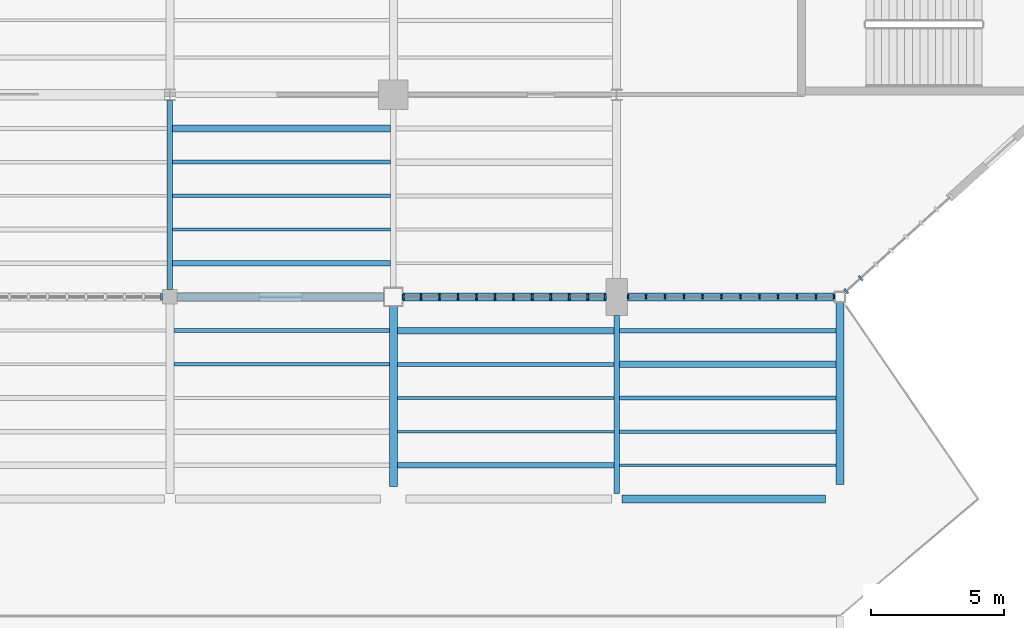
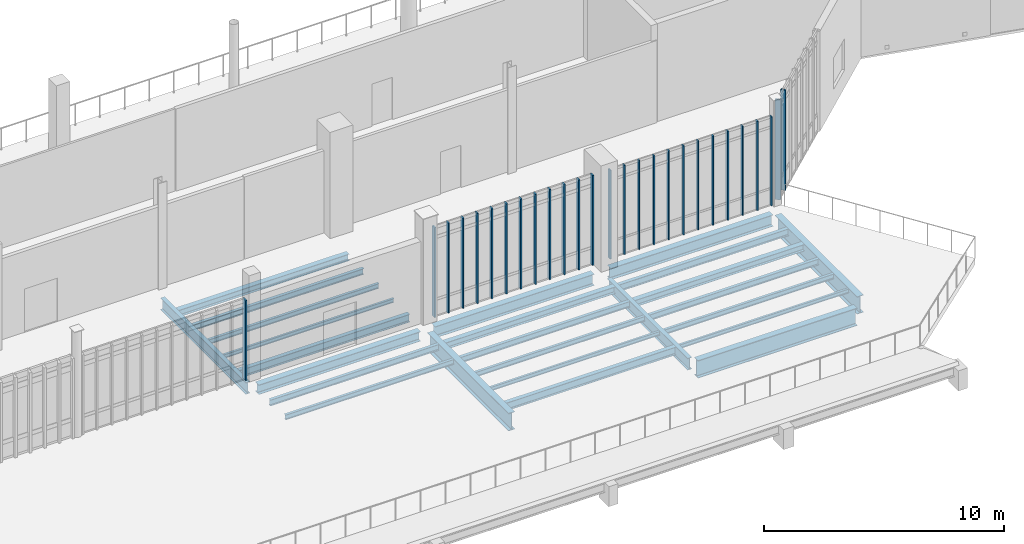
# One storey, part 18 of 127: 27 members, 25 beams, 4 elements without a shape of their own.
"""IFC4 building model written with IfcOpenShell, lengths in metres."""

from ifc_helpers import new_model, si_unit, direction, frame, origin, origin_2d, place, context, subcontext, project, spatial, rectangle, i_section, extrude, material, material_profile, profile_set, type_object, element, aggregate, save


model = new_model("IFC4")

# Units and contexts
model_context = context("Model", 3, precision=1e-05, world=origin(), true_north=direction((0.0, 1.0)))
body_context = subcontext(model_context, "Body", "Model", "MODEL_VIEW")
ifc_project = project(units=[si_unit("LENGTHUNIT", "METRE"), si_unit("AREAUNIT", "SQUARE_METRE"), si_unit("VOLUMEUNIT", "CUBIC_METRE"), si_unit("PLANEANGLEUNIT", "RADIAN"), si_unit("MASSUNIT", "GRAM", prefix="KILO")], contexts=[model_context])

# Site, building, storey
site_placement = place(None, origin())
site = spatial("IfcSite", under=ifc_project, at=site_placement, CompositionType="ELEMENT")
building_placement = place(site_placement, origin())
building = spatial("IfcBuilding", under=site, at=building_placement, Name="Larkvane Passage Sports Hall", CompositionType="ELEMENT")
storey_placement = place(building_placement, frame((0.0, 0.0, 5.39990234375)))
storey = spatial("IfcBuildingStorey", under=building, at=storey_placement, Name="L01", CompositionType="ELEMENT", Elevation=5.39990234375)

# Beams
ifc_material_1 = material(Name="Steel S355JR", Category="steel")
ifc_material_profile_1 = material_profile(ifc_material_1, i_section(OverallWidth=0.300048828125, OverallDepth=0.488037109375, WebThickness=0.010986328125, FlangeThickness=0.01806640625, FilletRadius=0.02197265625, at=origin_2d()), Name="H-488x300x11x18")
ifc_profile_set_1 = profile_set([ifc_material_profile_1], Name="Steel S355JR")
beam_type_1 = type_object("IfcBeamType", Name="BM-STL-H488", PredefinedType="BEAM", material=ifc_profile_set_1)
beam_1_placement = place(storey_placement, frame((60.27490234375, 15.199951171875, -0.663818359375), z_axis=(1.0, 0.0, 0.0), x_axis=(0.0, 1.0, 0.0)))
element("IfcBeam", 1, at=beam_1_placement, inside=storey, type_object=beam_type_1, Name="Girder BM5-X-L01-C-0381", PredefinedType="BEAM", context=body_context, shape_type="SweptSolid", body=[
    extrude(i_section(OverallWidth=0.300048828125, OverallDepth=0.488037109375, WebThickness=0.010986328125, FlangeThickness=0.01806640625, FilletRadius=0.02197265625, at=origin_2d()), origin(), (0.0, 0.0, 1.0), 7.775146484375),
])
ifc_material_2 = material(Name="Steel S460N", Category="steel")
ifc_material_profile_2 = material_profile(ifc_material_2, i_section(OverallWidth=0.300048828125, OverallDepth=0.58203125, WebThickness=0.011962890625, FlangeThickness=0.01708984375, FilletRadius=0.02197265625, at=origin_2d()), Name="H-582x300x12x17")
ifc_profile_set_2 = profile_set([ifc_material_profile_2], Name="Steel S460N")
beam_type_2 = type_object("IfcBeamType", Name="BM-STL-H582", PredefinedType="BEAM", material=ifc_profile_set_2)
beam_2_placement = place(storey_placement, frame((68.75, 15.199951171875, -0.7109375), z_axis=(1.0, 0.0, 0.0), x_axis=(0.0, 1.0, 0.0)))
element("IfcBeam", 2, at=beam_2_placement, inside=storey, type_object=beam_type_2, Name="Girder BM5-X-L01-C-0382", PredefinedType="BEAM", context=body_context, shape_type="SweptSolid", body=[
    extrude(i_section(OverallWidth=0.300048828125, OverallDepth=0.58203125, WebThickness=0.011962890625, FlangeThickness=0.01708984375, FilletRadius=0.02197265625, at=origin_2d()), origin(), (0.0, 0.0, 1.0), 7.64990234375),
])
ifc_material_profile_3 = material_profile(ifc_material_2, i_section(OverallWidth=0.300048828125, OverallDepth=0.587890625, WebThickness=0.011962890625, FlangeThickness=0.02001953125, FilletRadius=0.02197265625, at=origin_2d()), Name="H-588x300x12x20")
ifc_profile_set_3 = profile_set([ifc_material_profile_3], Name="Steel S460N")
beam_type_3 = type_object("IfcBeamType", Name="BM-STL-H588", PredefinedType="BEAM", material=ifc_profile_set_3)
beam_3_placement = place(storey_placement, frame((77.199951171875, 15.199951171875, -0.7138671875), z_axis=(1.0, 0.0, 0.0), x_axis=(0.0, 1.0, 0.0)))
element("IfcBeam", 3, at=beam_3_placement, inside=storey, type_object=beam_type_3, Name="Girder BM5-X-L01-C-0383", PredefinedType="BEAM", context=body_context, shape_type="SweptSolid", body=[
    extrude(i_section(OverallWidth=0.300048828125, OverallDepth=0.587890625, WebThickness=0.011962890625, FlangeThickness=0.02001953125, FilletRadius=0.02197265625, at=origin_2d()), origin(), (0.0, 0.0, 1.0), 7.800048828125),
])
ifc_material_profile_4 = material_profile(ifc_material_1, i_section(OverallWidth=0.199951171875, OverallDepth=0.60009765625, WebThickness=0.010986328125, FlangeThickness=0.01708984375, FilletRadius=0.01806640625, at=origin_2d()), Name="H-600x200x11x17")
ifc_profile_set_4 = profile_set([ifc_material_profile_4], Name="Steel S355JR")
beam_type_4 = type_object("IfcBeamType", Name="BM-STL-H600", PredefinedType="BEAM", material=ifc_profile_set_4)
beam_4_placement = place(storey_placement, frame((60.0, 15.47509765625, -0.719970703125), z_axis=(0.0, 1.0, 0.0), x_axis=(-1.0, 0.0, 0.0)))
element("IfcBeam", 4, at=beam_4_placement, inside=storey, type_object=beam_type_4, Name="Girder BM5-Y-L01-9-0462", PredefinedType="BEAM", context=body_context, shape_type="SweptSolid", body=[
    extrude(i_section(OverallWidth=0.199951171875, OverallDepth=0.60009765625, WebThickness=0.010986328125, FlangeThickness=0.01708984375, FilletRadius=0.01806640625, at=origin_2d()), origin(), (0.0, 0.0, 1.0), 7.11083984375),
])
beam_5_placement = place(storey_placement, frame((76.800048828125, 7.800048828125, -0.719970703125), z_axis=(0.0, 1.0, 0.0), x_axis=(-1.0, 0.0, 0.0)))
element("IfcBeam", 5, at=beam_5_placement, inside=storey, type_object=beam_type_4, Name="Girder BM5-Y-L01-11-0475", PredefinedType="BEAM", context=body_context, shape_type="SweptSolid", body=[
    extrude(i_section(OverallWidth=0.199951171875, OverallDepth=0.60009765625, WebThickness=0.010986328125, FlangeThickness=0.01708984375, FilletRadius=0.01806640625, at=origin_2d()), origin(), (0.0, 0.0, 1.0), 6.699951171875),
])
ifc_material_profile_5 = material_profile(ifc_material_2, i_section(OverallWidth=0.299072265625, OverallDepth=0.889892578125, WebThickness=0.014892578125, FlangeThickness=0.02294921875, FilletRadius=0.02197265625, at=origin_2d()), Name="H-890x299x15x23")
ifc_profile_set_5 = profile_set([ifc_material_profile_5], Name="Steel S460N")
beam_type_5 = type_object("IfcBeamType", Name="BM-STL-H890", PredefinedType="BEAM", material=ifc_profile_set_5)
beam_6_placement = place(storey_placement, frame((85.199951171875, 8.14990234375, -0.864990234375), z_axis=(0.0, 1.0, 0.0), x_axis=(-1.0, 0.0, 0.0)))
element("IfcBeam", 6, at=beam_6_placement, inside=storey, type_object=beam_type_5, Name="Girder BM5-Y-L01-12-0480", PredefinedType="BEAM", context=body_context, shape_type="SweptSolid", body=[
    extrude(i_section(OverallWidth=0.299072265625, OverallDepth=0.889892578125, WebThickness=0.014892578125, FlangeThickness=0.02294921875, FilletRadius=0.02197265625, at=origin_2d()), origin(), (0.0, 0.0, 1.0), 6.85009765625),
])
ifc_material_profile_6 = material_profile(ifc_material_2, i_section(OverallWidth=0.300048828125, OverallDepth=0.89990234375, WebThickness=0.01611328125, FlangeThickness=0.028076171875, FilletRadius=0.02197265625, at=origin_2d()), Name="H-900x300x16x28")
ifc_profile_set_6 = profile_set([ifc_material_profile_6], Name="Steel S460N")
beam_type_6 = type_object("IfcBeamType", Name="BM-STL-H900", PredefinedType="BEAM", material=ifc_profile_set_6)
beam_7_placement = place(storey_placement, frame((77.0, 7.60009765625, -0.869873046875), z_axis=(1.0, 0.0, 0.0), x_axis=(0.0, 1.0, 0.0)))
element("IfcBeam", 7, at=beam_7_placement, inside=storey, type_object=beam_type_6, Name="Girder BM5-X-L01-B-0377", PredefinedType="BEAM", context=body_context, shape_type="SweptSolid", body=[
    extrude(i_section(OverallWidth=0.300048828125, OverallDepth=0.89990234375, WebThickness=0.01611328125, FlangeThickness=0.028076171875, FilletRadius=0.02197265625, at=origin_2d()), origin(), (0.0, 0.0, 1.0), 7.64990234375),
])
beam_8_placement = place(storey_placement, frame((68.39990234375, 8.074951171875, -0.869873046875), z_axis=(0.0, 1.0, 0.0), x_axis=(-1.0, 0.0, 0.0)))
element("IfcBeam", 8, at=beam_8_placement, inside=storey, type_object=beam_type_6, Name="Girder BM5-Y-L01-10-0468", PredefinedType="BEAM", context=body_context, shape_type="SweptSolid", body=[
    extrude(i_section(OverallWidth=0.300048828125, OverallDepth=0.89990234375, WebThickness=0.01611328125, FlangeThickness=0.028076171875, FilletRadius=0.02197265625, at=origin_2d()), origin(), (0.0, 0.0, 1.0), 6.775146484375),
])

# Curtain wall, members
ifc_material_3 = material(Name="Thermally broken aluminium and low-E glazing", Category="aluminium")
curtain_wall_type_1 = type_object("IfcCurtainWallType", Name="CW-UNIT-COURT", PredefinedType="USERDEFINED", material=ifc_material_3)
curtain_wall_1_placement = place(storey_placement, origin())
curtain_wall_1 = element("IfcCurtainWall", 9, at=curtain_wall_1_placement, inside=storey, type_object=curtain_wall_type_1, Name="Curtain wall CW5-L01-028", ObjectType="UNITISED CURTAIN WALL", PredefinedType="USERDEFINED")
ifc_material_4 = material(Name="Anodised aluminium 6063-T6", Category="aluminium")
ifc_material_profile_7 = material_profile(ifc_material_4, rectangle(XDim=0.06005859375, YDim=0.14990234375, at=origin_2d()), Name="ALU-MUL-60x150")
ifc_profile_set_7 = profile_set([ifc_material_profile_7], Name="Anodised aluminium 6063-T6")
member_type_1 = type_object("IfcMemberType", Name="CW-MUL-60x150", PredefinedType="MULLION", material=ifc_profile_set_7)
member_1_placement = place(storey_placement, frame((84.97412109375, 15.199951171875, 0.0), z_axis=(0.0, 0.0, 1.0), x_axis=(-1.0, 0.0, 0.0)))
member_1 = element("IfcMember", 10, at=member_1_placement, type_object=member_type_1, Name="CW-01 mullion 1", PredefinedType="MULLION", context=body_context, shape_type="SweptSolid", body=[
    extrude(rectangle(XDim=0.06005859375, YDim=0.14990234375, at=origin_2d()), origin(), (0.0, 0.0, 1.0), 4.528076171875),
])
member_2_placement = place(storey_placement, frame((84.294189453125, 15.199951171875, 0.0), z_axis=(0.0, 0.0, 1.0), x_axis=(-1.0, 0.0, 0.0)))
member_2 = element("IfcMember", 11, at=member_2_placement, type_object=member_type_1, Name="CW-01 mullion 2", PredefinedType="MULLION", context=body_context, shape_type="SweptSolid", body=[
    extrude(rectangle(XDim=0.06005859375, YDim=0.14990234375, at=origin_2d()), origin(), (0.0, 0.0, 1.0), 4.528076171875),
])
member_3_placement = place(storey_placement, frame((83.58447265625, 15.199951171875, 0.0), z_axis=(0.0, 0.0, 1.0), x_axis=(-1.0, 0.0, 0.0)))
member_3 = element("IfcMember", 12, at=member_3_placement, type_object=member_type_1, Name="CW-01 mullion 3", PredefinedType="MULLION", context=body_context, shape_type="SweptSolid", body=[
    extrude(rectangle(XDim=0.06005859375, YDim=0.14990234375, at=origin_2d()), origin(), (0.0, 0.0, 1.0), 4.528076171875),
])
member_4_placement = place(storey_placement, frame((82.87451171875, 15.199951171875, 0.0), z_axis=(0.0, 0.0, 1.0), x_axis=(-1.0, 0.0, 0.0)))
member_4 = element("IfcMember", 13, at=member_4_placement, type_object=member_type_1, Name="CW-01 mullion 4", PredefinedType="MULLION", context=body_context, shape_type="SweptSolid", body=[
    extrude(rectangle(XDim=0.06005859375, YDim=0.14990234375, at=origin_2d()), origin(), (0.0, 0.0, 1.0), 4.528076171875),
])
member_5_placement = place(storey_placement, frame((82.164794921875, 15.199951171875, 0.0), z_axis=(0.0, 0.0, 1.0), x_axis=(-1.0, 0.0, 0.0)))
member_5 = element("IfcMember", 14, at=member_5_placement, type_object=member_type_1, Name="CW-01 mullion 5", PredefinedType="MULLION", context=body_context, shape_type="SweptSolid", body=[
    extrude(rectangle(XDim=0.06005859375, YDim=0.14990234375, at=origin_2d()), origin(), (0.0, 0.0, 1.0), 4.528076171875),
])
member_6_placement = place(storey_placement, frame((81.454833984375, 15.199951171875, 0.0), z_axis=(0.0, 0.0, 1.0), x_axis=(-1.0, 0.0, 0.0)))
member_6 = element("IfcMember", 15, at=member_6_placement, type_object=member_type_1, Name="CW-01 mullion 6", PredefinedType="MULLION", context=body_context, shape_type="SweptSolid", body=[
    extrude(rectangle(XDim=0.06005859375, YDim=0.14990234375, at=origin_2d()), origin(), (0.0, 0.0, 1.0), 4.528076171875),
])
member_7_placement = place(storey_placement, frame((80.7451171875, 15.199951171875, 0.0), z_axis=(0.0, 0.0, 1.0), x_axis=(-1.0, 0.0, 0.0)))
member_7 = element("IfcMember", 16, at=member_7_placement, type_object=member_type_1, Name="CW-01 mullion 7", PredefinedType="MULLION", context=body_context, shape_type="SweptSolid", body=[
    extrude(rectangle(XDim=0.06005859375, YDim=0.14990234375, at=origin_2d()), origin(), (0.0, 0.0, 1.0), 4.528076171875),
])
member_8_placement = place(storey_placement, frame((80.03515625, 15.199951171875, 0.0), z_axis=(0.0, 0.0, 1.0), x_axis=(-1.0, 0.0, 0.0)))
member_8 = element("IfcMember", 17, at=member_8_placement, type_object=member_type_1, Name="CW-01 mullion 8", PredefinedType="MULLION", context=body_context, shape_type="SweptSolid", body=[
    extrude(rectangle(XDim=0.06005859375, YDim=0.14990234375, at=origin_2d()), origin(), (0.0, 0.0, 1.0), 4.528076171875),
])
member_9_placement = place(storey_placement, frame((79.325439453125, 15.199951171875, 0.0), z_axis=(0.0, 0.0, 1.0), x_axis=(-1.0, 0.0, 0.0)))
member_9 = element("IfcMember", 18, at=member_9_placement, type_object=member_type_1, Name="CW-01 mullion 9", PredefinedType="MULLION", context=body_context, shape_type="SweptSolid", body=[
    extrude(rectangle(XDim=0.06005859375, YDim=0.14990234375, at=origin_2d()), origin(), (0.0, 0.0, 1.0), 4.528076171875),
])
member_10_placement = place(storey_placement, frame((78.61572265625, 15.199951171875, 0.0), z_axis=(0.0, 0.0, 1.0), x_axis=(-1.0, 0.0, 0.0)))
member_10 = element("IfcMember", 19, at=member_10_placement, type_object=member_type_1, Name="CW-01 mullion 10", PredefinedType="MULLION", context=body_context, shape_type="SweptSolid", body=[
    extrude(rectangle(XDim=0.06005859375, YDim=0.14990234375, at=origin_2d()), origin(), (0.0, 0.0, 1.0), 4.528076171875),
])
member_11_placement = place(storey_placement, frame((77.90576171875, 15.199951171875, 0.0), z_axis=(0.0, 0.0, 1.0), x_axis=(-1.0, 0.0, 0.0)))
member_11 = element("IfcMember", 20, at=member_11_placement, type_object=member_type_1, Name="CW-01 mullion 11", PredefinedType="MULLION", context=body_context, shape_type="SweptSolid", body=[
    extrude(rectangle(XDim=0.06005859375, YDim=0.14990234375, at=origin_2d()), origin(), (0.0, 0.0, 1.0), 4.528076171875),
])
member_12_placement = place(storey_placement, frame((77.22607421875, 15.199951171875, 0.0), z_axis=(0.0, 0.0, 1.0), x_axis=(-1.0, 0.0, 0.0)))
member_12 = element("IfcMember", 21, at=member_12_placement, type_object=member_type_1, Name="CW-01 mullion 12", PredefinedType="MULLION", context=body_context, shape_type="SweptSolid", body=[
    extrude(rectangle(XDim=0.06005859375, YDim=0.14990234375, at=origin_2d()), origin(), (0.0, 0.0, 1.0), 4.528076171875),
])
aggregate(curtain_wall_1, [member_1, member_2, member_3, member_4, member_5, member_6, member_7, member_8, member_9, member_10, member_11, member_12])

curtain_wall_type_2 = type_object("IfcCurtainWallType", Name="CW-UNIT-VEIL", PredefinedType="USERDEFINED", material=ifc_material_3)
curtain_wall_2_placement = place(storey_placement, origin())
curtain_wall_2 = element("IfcCurtainWall", 22, at=curtain_wall_2_placement, inside=storey, type_object=curtain_wall_type_2, Name="Curtain wall CW5-L01-029", ObjectType="UNITISED CURTAIN WALL", PredefinedType="USERDEFINED")
ifc_material_profile_8 = material_profile(ifc_material_4, rectangle(XDim=0.070068359375, YDim=0.199951171875, at=origin_2d()), Name="ALU-MUL-70x200")
ifc_profile_set_8 = profile_set([ifc_material_profile_8], Name="Anodised aluminium 6063-T6")
member_type_2 = type_object("IfcMemberType", Name="CW-MUL-70x200", PredefinedType="MULLION", material=ifc_profile_set_8)
member_13_placement = place(storey_placement, frame((76.368896484375, 15.199951171875, 0.0), z_axis=(0.0, 0.0, 1.0), x_axis=(-1.0, 0.0, 0.0)))
member_13 = element("IfcMember", 23, at=member_13_placement, type_object=member_type_2, Name="CW-02 mullion 1", PredefinedType="MULLION", context=body_context, shape_type="SweptSolid", body=[
    extrude(rectangle(XDim=0.070068359375, YDim=0.199951171875, at=origin_2d()), origin(), (0.0, 0.0, 1.0), 4.578125),
])
member_14_placement = place(storey_placement, frame((75.707763671875, 15.199951171875, 0.0), z_axis=(0.0, 0.0, 1.0), x_axis=(-1.0, 0.0, 0.0)))
member_14 = element("IfcMember", 24, at=member_14_placement, type_object=member_type_2, Name="CW-02 mullion 2", PredefinedType="MULLION", context=body_context, shape_type="SweptSolid", body=[
    extrude(rectangle(XDim=0.070068359375, YDim=0.199951171875, at=origin_2d()), origin(), (0.0, 0.0, 1.0), 4.578125),
])
member_15_placement = place(storey_placement, frame((75.01171875, 15.199951171875, 0.0), z_axis=(0.0, 0.0, 1.0), x_axis=(-1.0, 0.0, 0.0)))
member_15 = element("IfcMember", 25, at=member_15_placement, type_object=member_type_2, Name="CW-02 mullion 3", PredefinedType="MULLION", context=body_context, shape_type="SweptSolid", body=[
    extrude(rectangle(XDim=0.070068359375, YDim=0.199951171875, at=origin_2d()), origin(), (0.0, 0.0, 1.0), 4.578125),
])
member_16_placement = place(storey_placement, frame((74.3154296875, 15.199951171875, 0.0), z_axis=(0.0, 0.0, 1.0), x_axis=(-1.0, 0.0, 0.0)))
member_16 = element("IfcMember", 26, at=member_16_placement, type_object=member_type_2, Name="CW-02 mullion 4", PredefinedType="MULLION", context=body_context, shape_type="SweptSolid", body=[
    extrude(rectangle(XDim=0.070068359375, YDim=0.199951171875, at=origin_2d()), origin(), (0.0, 0.0, 1.0), 4.578125),
])
member_17_placement = place(storey_placement, frame((73.619384765625, 15.199951171875, 0.0), z_axis=(0.0, 0.0, 1.0), x_axis=(-1.0, 0.0, 0.0)))
member_17 = element("IfcMember", 27, at=member_17_placement, type_object=member_type_2, Name="CW-02 mullion 5", PredefinedType="MULLION", context=body_context, shape_type="SweptSolid", body=[
    extrude(rectangle(XDim=0.070068359375, YDim=0.199951171875, at=origin_2d()), origin(), (0.0, 0.0, 1.0), 4.578125),
])
member_18_placement = place(storey_placement, frame((72.923095703125, 15.199951171875, 0.0), z_axis=(0.0, 0.0, 1.0), x_axis=(-1.0, 0.0, 0.0)))
member_18 = element("IfcMember", 28, at=member_18_placement, type_object=member_type_2, Name="CW-02 mullion 6", PredefinedType="MULLION", context=body_context, shape_type="SweptSolid", body=[
    extrude(rectangle(XDim=0.070068359375, YDim=0.199951171875, at=origin_2d()), origin(), (0.0, 0.0, 1.0), 4.578125),
])
member_19_placement = place(storey_placement, frame((72.226806640625, 15.199951171875, 0.0), z_axis=(0.0, 0.0, 1.0), x_axis=(-1.0, 0.0, 0.0)))
member_19 = element("IfcMember", 29, at=member_19_placement, type_object=member_type_2, Name="CW-02 mullion 7", PredefinedType="MULLION", context=body_context, shape_type="SweptSolid", body=[
    extrude(rectangle(XDim=0.070068359375, YDim=0.199951171875, at=origin_2d()), origin(), (0.0, 0.0, 1.0), 4.578125),
])
member_20_placement = place(storey_placement, frame((71.53076171875, 15.199951171875, 0.0), z_axis=(0.0, 0.0, 1.0), x_axis=(-1.0, 0.0, 0.0)))
member_20 = element("IfcMember", 30, at=member_20_placement, type_object=member_type_2, Name="CW-02 mullion 8", PredefinedType="MULLION", context=body_context, shape_type="SweptSolid", body=[
    extrude(rectangle(XDim=0.070068359375, YDim=0.199951171875, at=origin_2d()), origin(), (0.0, 0.0, 1.0), 4.578125),
])
member_21_placement = place(storey_placement, frame((70.83447265625, 15.199951171875, 0.0), z_axis=(0.0, 0.0, 1.0), x_axis=(-1.0, 0.0, 0.0)))
member_21 = element("IfcMember", 31, at=member_21_placement, type_object=member_type_2, Name="CW-02 mullion 9", PredefinedType="MULLION", context=body_context, shape_type="SweptSolid", body=[
    extrude(rectangle(XDim=0.070068359375, YDim=0.199951171875, at=origin_2d()), origin(), (0.0, 0.0, 1.0), 4.578125),
])
member_22_placement = place(storey_placement, frame((70.138427734375, 15.199951171875, 0.0), z_axis=(0.0, 0.0, 1.0), x_axis=(-1.0, 0.0, 0.0)))
member_22 = element("IfcMember", 32, at=member_22_placement, type_object=member_type_2, Name="CW-02 mullion 10", PredefinedType="MULLION", context=body_context, shape_type="SweptSolid", body=[
    extrude(rectangle(XDim=0.070068359375, YDim=0.199951171875, at=origin_2d()), origin(), (0.0, 0.0, 1.0), 4.578125),
])
member_23_placement = place(storey_placement, frame((69.442138671875, 15.199951171875, 0.0), z_axis=(0.0, 0.0, 1.0), x_axis=(-1.0, 0.0, 0.0)))
member_23 = element("IfcMember", 33, at=member_23_placement, type_object=member_type_2, Name="CW-02 mullion 11", PredefinedType="MULLION", context=body_context, shape_type="SweptSolid", body=[
    extrude(rectangle(XDim=0.070068359375, YDim=0.199951171875, at=origin_2d()), origin(), (0.0, 0.0, 1.0), 4.578125),
])
member_24_placement = place(storey_placement, frame((68.781005859375, 15.199951171875, 0.0), z_axis=(0.0, 0.0, 1.0), x_axis=(-1.0, 0.0, 0.0)))
member_24 = element("IfcMember", 34, at=member_24_placement, type_object=member_type_2, Name="CW-02 mullion 12", PredefinedType="MULLION", context=body_context, shape_type="SweptSolid", body=[
    extrude(rectangle(XDim=0.070068359375, YDim=0.199951171875, at=origin_2d()), origin(), (0.0, 0.0, 1.0), 4.578125),
])
aggregate(curtain_wall_2, [member_13, member_14, member_15, member_16, member_17, member_18, member_19, member_20, member_21, member_22, member_23, member_24])

curtain_wall_3_placement = place(storey_placement, origin())
curtain_wall_3 = element("IfcCurtainWall", 35, at=curtain_wall_3_placement, inside=storey, type_object=curtain_wall_type_2, Name="Curtain wall CW5-L01-065", ObjectType="UNITISED CURTAIN WALL", PredefinedType="USERDEFINED")
ifc_material_profile_9 = material_profile(ifc_material_4, rectangle(XDim=0.074951171875, YDim=0.22509765625, at=origin_2d()), Name="ALU-MUL-75x225")
ifc_profile_set_9 = profile_set([ifc_material_profile_9], Name="Anodised aluminium 6063-T6")
member_type_3 = type_object("IfcMemberType", Name="CW-MUL-75x225", PredefinedType="MULLION", material=ifc_profile_set_9)
member_25_placement = place(storey_placement, frame((85.97705078125, 15.903076171875, 0.0), z_axis=(0.0, 0.0, 1.0), x_axis=(-0.741532699805, -0.67091672741, 0.0)))
member_25 = element("IfcMember", 36, at=member_25_placement, type_object=member_type_3, Name="CW-02 mullion 7", PredefinedType="MULLION", context=body_context, shape_type="SweptSolid", body=[
    extrude(rectangle(XDim=0.074951171875, YDim=0.22509765625, at=origin_2d()), origin(), (0.0, 0.0, 1.0), 5.090087890625),
])
member_26_placement = place(storey_placement, frame((85.434326171875, 15.411865234375, 0.0), z_axis=(0.0, 0.0, 1.0), x_axis=(-0.741532699805, -0.67091672741, 0.0)))
member_26 = element("IfcMember", 37, at=member_26_placement, type_object=member_type_3, Name="CW-02 mullion 8", PredefinedType="MULLION", context=body_context, shape_type="SweptSolid", body=[
    extrude(rectangle(XDim=0.074951171875, YDim=0.22509765625, at=origin_2d()), origin(), (0.0, 0.0, 1.0), 5.090087890625),
])
aggregate(curtain_wall_3, [member_25, member_26])

# Curtain wall, member
curtain_wall_type_3 = type_object("IfcCurtainWallType", Name="CW-STICK-FOYER", PredefinedType="USERDEFINED", material=ifc_material_3)
curtain_wall_4_placement = place(storey_placement, origin())
curtain_wall_4 = element("IfcCurtainWall", 38, at=curtain_wall_4_placement, inside=storey, type_object=curtain_wall_type_3, Name="Curtain wall CW5-L01-030", ObjectType="STICK CURTAIN WALL", PredefinedType="USERDEFINED")
ifc_material_profile_10 = material_profile(ifc_material_4, rectangle(XDim=0.080078125, YDim=0.25, at=origin_2d()), Name="ALU-MUL-80x250")
ifc_profile_set_10 = profile_set([ifc_material_profile_10], Name="Anodised aluminium 6063-T6")
member_type_4 = type_object("IfcMemberType", Name="CW-MUL-80x250", PredefinedType="MULLION", material=ifc_profile_set_10)
member_27_placement = place(storey_placement, frame((59.68896484375, 15.199951171875, 0.0), z_axis=(0.0, 0.0, 1.0), x_axis=(-1.0, 0.0, 0.0)))
member_27 = element("IfcMember", 39, at=member_27_placement, type_object=member_type_4, Name="CW-03 mullion 1", PredefinedType="MULLION", context=body_context, shape_type="SweptSolid", body=[
    extrude(rectangle(XDim=0.080078125, YDim=0.25, at=origin_2d()), origin(), (0.0, 0.0, 1.0), 4.068115234375),
])
aggregate(curtain_wall_4, [member_27])

# Beams
ifc_material_profile_11 = material_profile(ifc_material_1, i_section(OverallWidth=0.10009765625, OverallDepth=0.199951171875, WebThickness=0.005615234375, FlangeThickness=0.008056640625, FilletRadius=0.008056640625, at=origin_2d()), Name="H-200x100x5.5x8")
ifc_profile_set_11 = profile_set([ifc_material_profile_11], Name="Steel S355JR")
beam_type_7 = type_object("IfcBeamType", Name="JST-STL-H200", PredefinedType="JOIST", material=ifc_profile_set_11)
beam_9_placement = place(storey_placement, frame((60.10009765625, 17.7333984375, -0.52001953125), z_axis=(1.0, 0.0, 0.0), x_axis=(0.0, 1.0, 0.0)))
element("IfcBeam", 40, at=beam_9_placement, inside=storey, type_object=beam_type_7, Name="Composite joist L01 9/C-2", PredefinedType="JOIST", context=body_context, shape_type="SweptSolid", body=[
    extrude(i_section(OverallWidth=0.10009765625, OverallDepth=0.199951171875, WebThickness=0.005615234375, FlangeThickness=0.008056640625, FilletRadius=0.008056640625, at=origin_2d()), origin(), (0.0, 0.0, 1.0), 8.199951171875),
])
beam_10_placement = place(storey_placement, frame((68.550048828125, 10.13330078125, -0.52001953125), z_axis=(1.0, 0.0, 0.0), x_axis=(0.0, 1.0, 0.0)))
element("IfcBeam", 41, at=beam_10_placement, inside=storey, type_object=beam_type_7, Name="Composite joist L01 10/B-2", PredefinedType="JOIST", context=body_context, shape_type="SweptSolid", body=[
    extrude(i_section(OverallWidth=0.10009765625, OverallDepth=0.199951171875, WebThickness=0.005615234375, FlangeThickness=0.008056640625, FilletRadius=0.008056640625, at=origin_2d()), origin(), (0.0, 0.0, 1.0), 8.14990234375),
])
beam_11_placement = place(storey_placement, frame((76.89990234375, 8.86669921875, -0.52001953125), z_axis=(1.0, 0.0, 0.0), x_axis=(0.0, 1.0, 0.0)))
element("IfcBeam", 42, at=beam_11_placement, inside=storey, type_object=beam_type_7, Name="Composite joist L01 11/B-1", PredefinedType="JOIST", context=body_context, shape_type="SweptSolid", body=[
    extrude(i_section(OverallWidth=0.10009765625, OverallDepth=0.199951171875, WebThickness=0.005615234375, FlangeThickness=0.008056640625, FilletRadius=0.008056640625, at=origin_2d()), origin(), (0.0, 0.0, 1.0), 8.150634765625),
])
ifc_material_profile_12 = material_profile(ifc_material_1, i_section(OverallWidth=0.125, OverallDepth=0.25, WebThickness=0.006103515625, FlangeThickness=0.009033203125, FilletRadius=0.008056640625, at=origin_2d()), Name="H-250x125x6x9")
ifc_profile_set_12 = profile_set([ifc_material_profile_12], Name="Steel S355JR")
beam_type_8 = type_object("IfcBeamType", Name="JST-STL-H250", PredefinedType="JOIST", material=ifc_profile_set_12)
beam_12_placement = place(storey_placement, frame((60.14990234375, 12.666748046875, -0.544921875), z_axis=(1.0, 0.0, 0.0), x_axis=(0.0, 1.0, 0.0)))
element("IfcBeam", 43, at=beam_12_placement, inside=storey, type_object=beam_type_8, Name="Composite joist L01 9/B-4", PredefinedType="JOIST", context=body_context, shape_type="SweptSolid", body=[
    extrude(i_section(OverallWidth=0.125, OverallDepth=0.25, WebThickness=0.006103515625, FlangeThickness=0.009033203125, FilletRadius=0.008056640625, at=origin_2d()), origin(), (0.0, 0.0, 1.0), 8.10009765625),
])
beam_13_placement = place(storey_placement, frame((60.10009765625, 19.0, -0.544921875), z_axis=(1.0, 0.0, 0.0), x_axis=(0.0, 1.0, 0.0)))
element("IfcBeam", 44, at=beam_13_placement, inside=storey, type_object=beam_type_8, Name="Composite joist L01 9/C-3", PredefinedType="JOIST", context=body_context, shape_type="SweptSolid", body=[
    extrude(i_section(OverallWidth=0.125, OverallDepth=0.25, WebThickness=0.006103515625, FlangeThickness=0.009033203125, FilletRadius=0.008056640625, at=origin_2d()), origin(), (0.0, 0.0, 1.0), 8.199951171875),
])
beam_14_placement = place(storey_placement, frame((68.550048828125, 11.39990234375, -0.544921875), z_axis=(1.0, 0.0, 0.0), x_axis=(0.0, 1.0, 0.0)))
element("IfcBeam", 45, at=beam_14_placement, inside=storey, type_object=beam_type_8, Name="Composite joist L01 10/B-3", PredefinedType="JOIST", context=body_context, shape_type="SweptSolid", body=[
    extrude(i_section(OverallWidth=0.125, OverallDepth=0.25, WebThickness=0.006103515625, FlangeThickness=0.009033203125, FilletRadius=0.008056640625, at=origin_2d()), origin(), (0.0, 0.0, 1.0), 8.14990234375),
])
beam_15_placement = place(storey_placement, frame((76.89990234375, 10.13330078125, -0.544921875), z_axis=(1.0, 0.0, 0.0), x_axis=(0.0, 1.0, 0.0)))
element("IfcBeam", 46, at=beam_15_placement, inside=storey, type_object=beam_type_8, Name="Composite joist L01 11/B-2", PredefinedType="JOIST", context=body_context, shape_type="SweptSolid", body=[
    extrude(i_section(OverallWidth=0.125, OverallDepth=0.25, WebThickness=0.006103515625, FlangeThickness=0.009033203125, FilletRadius=0.008056640625, at=origin_2d()), origin(), (0.0, 0.0, 1.0), 8.150634765625),
])
ifc_material_profile_13 = material_profile(ifc_material_1, i_section(OverallWidth=0.14990234375, OverallDepth=0.300048828125, WebThickness=0.006591796875, FlangeThickness=0.009033203125, FilletRadius=0.012939453125, at=origin_2d()), Name="H-300x150x6.5x9")
ifc_profile_set_13 = profile_set([ifc_material_profile_13], Name="Steel S355JR")
beam_type_9 = type_object("IfcBeamType", Name="JST-STL-H300", PredefinedType="JOIST", material=ifc_profile_set_13)
beam_16_placement = place(storey_placement, frame((60.14990234375, 13.933349609375, -0.56982421875), z_axis=(1.0, 0.0, 0.0), x_axis=(0.0, 1.0, 0.0)))
element("IfcBeam", 47, at=beam_16_placement, inside=storey, type_object=beam_type_9, Name="Composite joist L01 9/B-5", PredefinedType="JOIST", context=body_context, shape_type="SweptSolid", body=[
    extrude(i_section(OverallWidth=0.14990234375, OverallDepth=0.300048828125, WebThickness=0.006591796875, FlangeThickness=0.009033203125, FilletRadius=0.012939453125, at=origin_2d()), origin(), (0.0, 0.0, 1.0), 8.10009765625),
])
beam_17_placement = place(storey_placement, frame((60.10009765625, 20.2666015625, -0.56982421875), z_axis=(1.0, 0.0, 0.0), x_axis=(0.0, 1.0, 0.0)))
element("IfcBeam", 48, at=beam_17_placement, inside=storey, type_object=beam_type_9, Name="Composite joist L01 9/C-4", PredefinedType="JOIST", context=body_context, shape_type="SweptSolid", body=[
    extrude(i_section(OverallWidth=0.14990234375, OverallDepth=0.300048828125, WebThickness=0.006591796875, FlangeThickness=0.009033203125, FilletRadius=0.012939453125, at=origin_2d()), origin(), (0.0, 0.0, 1.0), 8.199951171875),
])
beam_18_placement = place(storey_placement, frame((68.550048828125, 12.666748046875, -0.56982421875), z_axis=(1.0, 0.0, 0.0), x_axis=(0.0, 1.0, 0.0)))
element("IfcBeam", 49, at=beam_18_placement, inside=storey, type_object=beam_type_9, Name="Composite joist L01 10/B-4", PredefinedType="JOIST", context=body_context, shape_type="SweptSolid", body=[
    extrude(i_section(OverallWidth=0.14990234375, OverallDepth=0.300048828125, WebThickness=0.006591796875, FlangeThickness=0.009033203125, FilletRadius=0.012939453125, at=origin_2d()), origin(), (0.0, 0.0, 1.0), 8.14990234375),
])
beam_19_placement = place(storey_placement, frame((76.89990234375, 11.39990234375, -0.56982421875), z_axis=(1.0, 0.0, 0.0), x_axis=(0.0, 1.0, 0.0)))
element("IfcBeam", 50, at=beam_19_placement, inside=storey, type_object=beam_type_9, Name="Composite joist L01 11/B-3", PredefinedType="JOIST", context=body_context, shape_type="SweptSolid", body=[
    extrude(i_section(OverallWidth=0.14990234375, OverallDepth=0.300048828125, WebThickness=0.006591796875, FlangeThickness=0.009033203125, FilletRadius=0.012939453125, at=origin_2d()), origin(), (0.0, 0.0, 1.0), 8.150634765625),
])
ifc_material_profile_14 = material_profile(ifc_material_1, i_section(OverallWidth=0.25, OverallDepth=0.340087890625, WebThickness=0.009033203125, FlangeThickness=0.013916015625, FilletRadius=0.012939453125, at=origin_2d()), Name="H-340x250x9x14")
ifc_profile_set_14 = profile_set([ifc_material_profile_14], Name="Steel S355JR")
beam_type_10 = type_object("IfcBeamType", Name="JST-STL-H340", PredefinedType="JOIST", material=ifc_profile_set_14)
beam_20_placement = place(storey_placement, frame((60.10009765625, 21.533447265625, -0.58984375), z_axis=(1.0, 0.0, 0.0), x_axis=(0.0, 1.0, 0.0)))
element("IfcBeam", 51, at=beam_20_placement, inside=storey, type_object=beam_type_10, Name="Composite joist L01 9/C-5", PredefinedType="JOIST", context=body_context, shape_type="SweptSolid", body=[
    extrude(i_section(OverallWidth=0.25, OverallDepth=0.340087890625, WebThickness=0.009033203125, FlangeThickness=0.013916015625, FilletRadius=0.012939453125, at=origin_2d()), origin(), (0.0, 0.0, 1.0), 8.199951171875),
])
beam_21_placement = place(storey_placement, frame((68.550048828125, 13.933349609375, -0.58984375), z_axis=(1.0, 0.0, 0.0), x_axis=(0.0, 1.0, 0.0)))
element("IfcBeam", 52, at=beam_21_placement, inside=storey, type_object=beam_type_10, Name="Composite joist L01 10/B-5", PredefinedType="JOIST", context=body_context, shape_type="SweptSolid", body=[
    extrude(i_section(OverallWidth=0.25, OverallDepth=0.340087890625, WebThickness=0.009033203125, FlangeThickness=0.013916015625, FilletRadius=0.012939453125, at=origin_2d()), origin(), (0.0, 0.0, 1.0), 8.14990234375),
])
beam_22_placement = place(storey_placement, frame((76.89990234375, 12.666748046875, -0.58984375), z_axis=(1.0, 0.0, 0.0), x_axis=(0.0, 1.0, 0.0)))
element("IfcBeam", 53, at=beam_22_placement, inside=storey, type_object=beam_type_10, Name="Composite joist L01 11/B-4", PredefinedType="JOIST", context=body_context, shape_type="SweptSolid", body=[
    extrude(i_section(OverallWidth=0.25, OverallDepth=0.340087890625, WebThickness=0.009033203125, FlangeThickness=0.013916015625, FilletRadius=0.012939453125, at=origin_2d()), origin(), (0.0, 0.0, 1.0), 8.150634765625),
])
ifc_material_profile_15 = material_profile(ifc_material_1, i_section(OverallWidth=0.175048828125, OverallDepth=0.35009765625, WebThickness=0.007080078125, FlangeThickness=0.010986328125, FilletRadius=0.012939453125, at=origin_2d()), Name="H-350x175x7x11")
ifc_profile_set_15 = profile_set([ifc_material_profile_15], Name="Steel S355JR")
beam_type_11 = type_object("IfcBeamType", Name="JST-STL-H350", PredefinedType="JOIST", material=ifc_profile_set_15)
beam_23_placement = place(storey_placement, frame((76.89990234375, 13.933349609375, -0.594970703125), z_axis=(1.0, 0.0, 0.0), x_axis=(0.0, 1.0, 0.0)))
element("IfcBeam", 54, at=beam_23_placement, inside=storey, type_object=beam_type_11, Name="Composite joist L01 11/B-5", PredefinedType="JOIST", context=body_context, shape_type="SweptSolid", body=[
    extrude(i_section(OverallWidth=0.175048828125, OverallDepth=0.35009765625, WebThickness=0.007080078125, FlangeThickness=0.010986328125, FilletRadius=0.012939453125, at=origin_2d()), origin(), (0.0, 0.0, 1.0), 8.150634765625),
])
ifc_material_profile_16 = material_profile(ifc_material_1, i_section(OverallWidth=0.199951171875, OverallDepth=0.39990234375, WebThickness=0.008056640625, FlangeThickness=0.012939453125, FilletRadius=0.012939453125, at=origin_2d()), Name="H-400x200x8x13")
ifc_profile_set_16 = profile_set([ifc_material_profile_16], Name="Steel S355JR")
beam_type_12 = type_object("IfcBeamType", Name="JST-STL-H400", PredefinedType="JOIST", material=ifc_profile_set_16)
beam_24_placement = place(storey_placement, frame((60.10009765625, 16.466552734375, -0.619873046875), z_axis=(1.0, 0.0, 0.0), x_axis=(0.0, 1.0, 0.0)))
element("IfcBeam", 55, at=beam_24_placement, inside=storey, type_object=beam_type_12, Name="Composite joist L01 9/C-1", PredefinedType="JOIST", context=body_context, shape_type="SweptSolid", body=[
    extrude(i_section(OverallWidth=0.199951171875, OverallDepth=0.39990234375, WebThickness=0.008056640625, FlangeThickness=0.012939453125, FilletRadius=0.012939453125, at=origin_2d()), origin(), (0.0, 0.0, 1.0), 8.199951171875),
])
beam_25_placement = place(storey_placement, frame((68.550048828125, 8.86669921875, -0.619873046875), z_axis=(1.0, 0.0, 0.0), x_axis=(0.0, 1.0, 0.0)))
element("IfcBeam", 56, at=beam_25_placement, inside=storey, type_object=beam_type_12, Name="Composite joist L01 10/B-1", PredefinedType="JOIST", context=body_context, shape_type="SweptSolid", body=[
    extrude(i_section(OverallWidth=0.199951171875, OverallDepth=0.39990234375, WebThickness=0.008056640625, FlangeThickness=0.012939453125, FilletRadius=0.012939453125, at=origin_2d()), origin(), (0.0, 0.0, 1.0), 8.14990234375),
])

save(model, "model.ifc")
